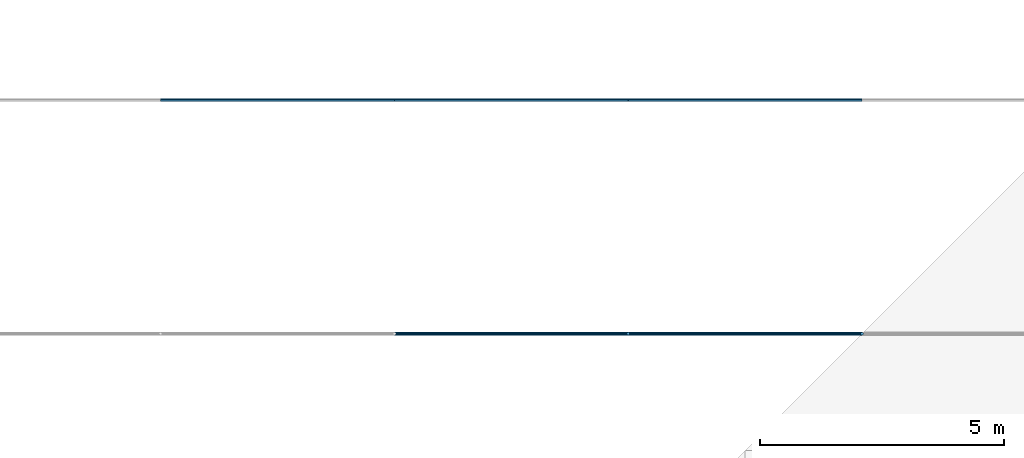
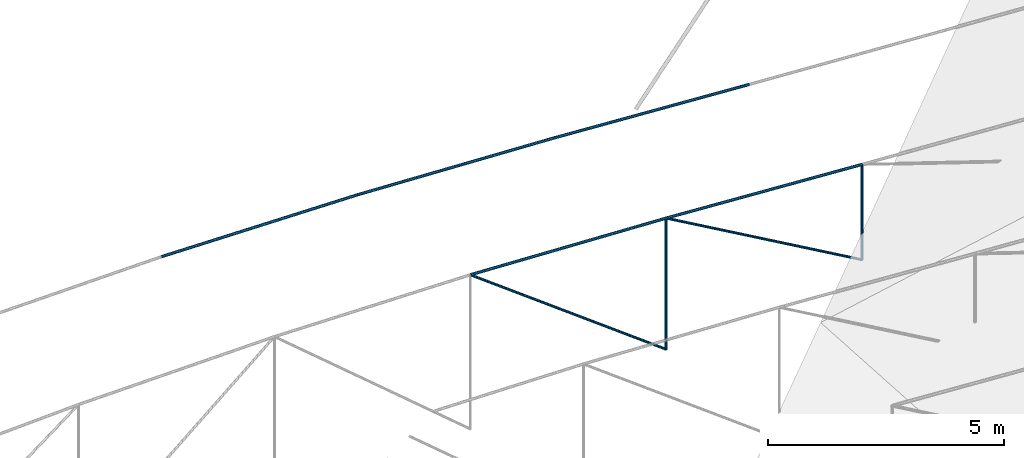
# One storey, part 33 of 50: 9 members.
"""IFC4 building model written with IfcOpenShell, lengths in metres."""

from ifc_helpers import new_model, si_unit, direction, frame, origin, origin_2d, place, context, subcontext, project, spatial, circle, extrude, material, material_profile, profile_set, type_object, element, save


model = new_model("IFC4")

# Units and contexts
model_context = context("Model", 3, precision=1e-05, world=origin(), true_north=direction((0.0, 1.0)))
body_context = subcontext(model_context, "Body", "Model", "MODEL_VIEW")
ifc_project = project(units=[si_unit("LENGTHUNIT", "METRE"), si_unit("AREAUNIT", "SQUARE_METRE"), si_unit("VOLUMEUNIT", "CUBIC_METRE"), si_unit("PLANEANGLEUNIT", "RADIAN"), si_unit("MASSUNIT", "GRAM", prefix="KILO")], contexts=[model_context])

# Site, building, storey
site_placement = place(None, origin())
site = spatial("IfcSite", under=ifc_project, at=site_placement, CompositionType="ELEMENT")
building_placement = place(site_placement, origin())
building = spatial("IfcBuilding", under=site, at=building_placement, Name="Zevrakil Square Congress Hotel", CompositionType="ELEMENT")
storey_placement = place(building_placement, frame((0.0, 0.0, 21.5)))
storey = spatial("IfcBuildingStorey", under=building, at=storey_placement, Name="L06", CompositionType="ELEMENT", Elevation=21.5)

# Members
ifc_material_1 = material(Name="Steel S355", Category="steel")
ifc_material_profile_1 = material_profile(ifc_material_1, circle(Radius=0.030029296875, at=origin_2d()), Name="CABLE RD60")
ifc_profile_set_1 = profile_set([ifc_material_profile_1], Name="Steel S355")
member_type_1 = type_object("IfcMemberType", Name="MEM-CABLE-RD60", PredefinedType="USERDEFINED", material=ifc_profile_set_1)
member_1_placement = place(storey_placement, frame((151.199951171875, 103.199951171875, -1.51806640625), z_axis=(-0.799174909116, 0.0, 0.601098548192), x_axis=(0.0, -1.0, 0.0)))
element("IfcMember", 1, at=member_1_placement, inside=storey, type_object=member_type_1, Name="Congress cable-truss web diagonal CBD-08-7", ObjectType="ROOF CABLE", PredefinedType="USERDEFINED", context=body_context, shape_type="SweptSolid", body=[
    extrude(circle(Radius=0.030029296875, at=origin_2d()), origin(), (0.0, 0.0, 1.0), 6.00634765625),
])
member_2_placement = place(storey_placement, frame((151.199951171875, 103.199951171875, -1.51806640625), z_axis=(0.0, 0.0, 1.0), x_axis=(1.0, 0.0, 0.0)))
element("IfcMember", 2, at=member_2_placement, inside=storey, type_object=member_type_1, Name="Congress cable-truss vertical tie CBW-08-7", ObjectType="ROOF CABLE", PredefinedType="USERDEFINED", context=body_context, shape_type="SweptSolid", body=[
    extrude(circle(Radius=0.030029296875, at=origin_2d()), origin(), (0.0, 0.0, 1.0), 3.39794921875),
])
member_3_placement = place(storey_placement, frame((156.0, 103.199951171875, -0.8779296875), z_axis=(-0.867079197454, 0.0, 0.498170317605), x_axis=(0.0, -1.0, 0.0)))
element("IfcMember", 3, at=member_3_placement, inside=storey, type_object=member_type_1, Name="Congress cable-truss web diagonal CBD-08-8", ObjectType="ROOF CABLE", PredefinedType="USERDEFINED", context=body_context, shape_type="SweptSolid", body=[
    extrude(circle(Radius=0.030029296875, at=origin_2d()), origin(), (0.0, 0.0, 1.0), 5.535888671875),
])
member_4_placement = place(storey_placement, frame((156.0, 103.199951171875, -0.8779296875), z_axis=(0.0, 0.0, 1.0), x_axis=(1.0, 0.0, 0.0)))
element("IfcMember", 4, at=member_4_placement, inside=storey, type_object=member_type_1, Name="Congress cable-truss vertical tie CBW-08-8", ObjectType="ROOF CABLE", PredefinedType="USERDEFINED", context=body_context, shape_type="SweptSolid", body=[
    extrude(circle(Radius=0.030029296875, at=origin_2d()), origin(), (0.0, 0.0, 1.0), 2.46875),
])
ifc_material_2 = material(Name="Steel S355", Category="steel")
ifc_material_profile_2 = material_profile(ifc_material_2, circle(Radius=0.033935546875, at=origin_2d()), Name="CABLE RD68")
ifc_profile_set_2 = profile_set([ifc_material_profile_2], Name="Steel S355")
member_type_2 = type_object("IfcMemberType", Name="MEM-CABLE-RD68", PredefinedType="USERDEFINED", material=ifc_profile_set_2)
member_5_placement = place(storey_placement, frame((146.39990234375, 103.199951171875, 2.09228515625), z_axis=(0.999022402478, 0.0, -0.044206779419), x_axis=(0.0, 1.0, 0.0)))
element("IfcMember", 5, at=member_5_placement, inside=storey, type_object=member_type_2, Name="Congress lenticular upper cable chord CBU-08 seg 7", ObjectType="ROOF CABLE", PredefinedType="USERDEFINED", context=body_context, shape_type="SweptSolid", body=[
    extrude(circle(Radius=0.033935546875, at=origin_2d()), origin(), (0.0, 0.0, 1.0), 4.8046875),
])
member_6_placement = place(storey_placement, frame((151.199951171875, 103.199951171875, 1.8798828125), z_axis=(0.998191648201, 0.0, -0.060111841283), x_axis=(0.0, 1.0, 0.0)))
element("IfcMember", 6, at=member_6_placement, inside=storey, type_object=member_type_2, Name="Congress lenticular upper cable chord CBU-08 seg 8", ObjectType="ROOF CABLE", PredefinedType="USERDEFINED", context=body_context, shape_type="SweptSolid", body=[
    extrude(circle(Radius=0.033935546875, at=origin_2d()), origin(), (0.0, 0.0, 1.0), 4.808837890625),
])
member_7_placement = place(storey_placement, frame((141.60009765625, 108.0, 1.330078125), z_axis=(0.999869210762, 0.0, -0.016172859055), x_axis=(0.0, 1.0, 0.0)))
element("IfcMember", 7, at=member_7_placement, inside=storey, type_object=member_type_2, Name="Congress lenticular upper cable chord CBU-09 seg 6", ObjectType="ROOF CABLE", PredefinedType="USERDEFINED", context=body_context, shape_type="SweptSolid", body=[
    extrude(circle(Radius=0.033935546875, at=origin_2d()), origin(), (0.0, 0.0, 1.0), 4.800537109375),
])
member_8_placement = place(storey_placement, frame((146.39990234375, 108.0, 1.25244140625), z_axis=(0.99902015714, 0.0, -0.044257492339), x_axis=(0.0, 1.0, 0.0)))
element("IfcMember", 8, at=member_8_placement, inside=storey, type_object=member_type_2, Name="Congress lenticular upper cable chord CBU-09 seg 7", ObjectType="ROOF CABLE", PredefinedType="USERDEFINED", context=body_context, shape_type="SweptSolid", body=[
    extrude(circle(Radius=0.033935546875, at=origin_2d()), origin(), (0.0, 0.0, 1.0), 4.8046875),
])
member_9_placement = place(storey_placement, frame((151.199951171875, 108.0, 1.039794921875), z_axis=(0.998191648201, 0.0, -0.060111841283), x_axis=(0.0, 1.0, 0.0)))
element("IfcMember", 9, at=member_9_placement, inside=storey, type_object=member_type_2, Name="Congress lenticular upper cable chord CBU-09 seg 8", ObjectType="ROOF CABLE", PredefinedType="USERDEFINED", context=body_context, shape_type="SweptSolid", body=[
    extrude(circle(Radius=0.033935546875, at=origin_2d()), origin(), (0.0, 0.0, 1.0), 4.808837890625),
])

save(model, "model.ifc")
